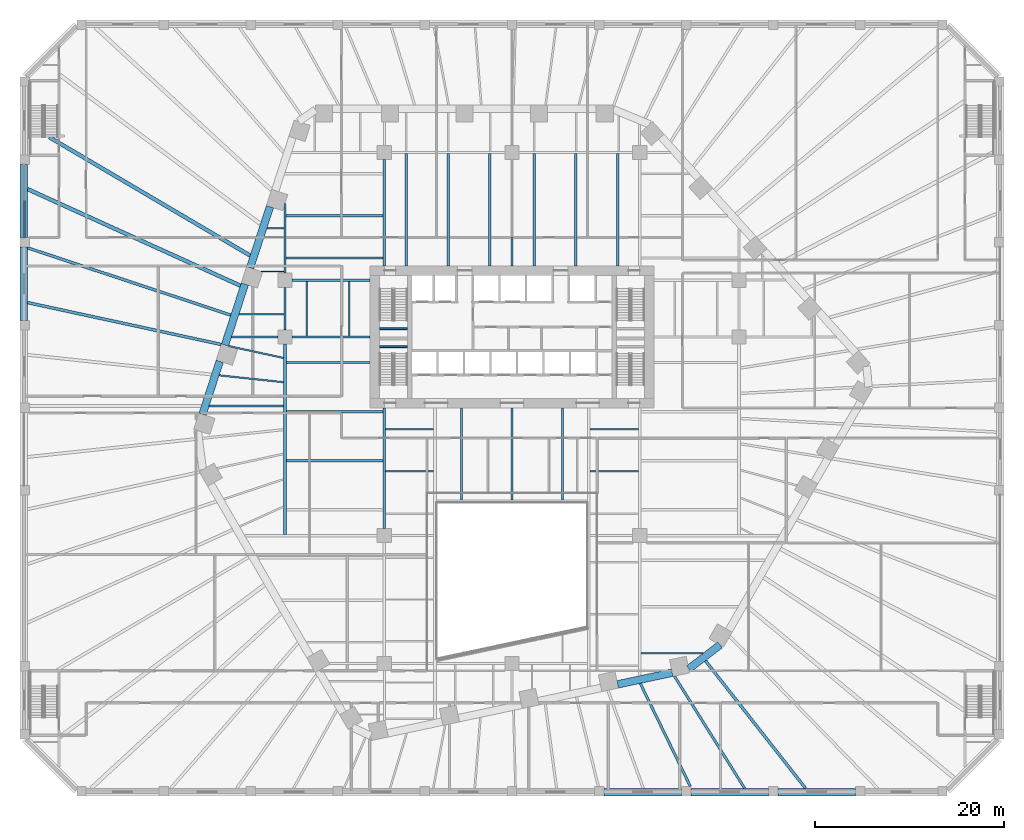
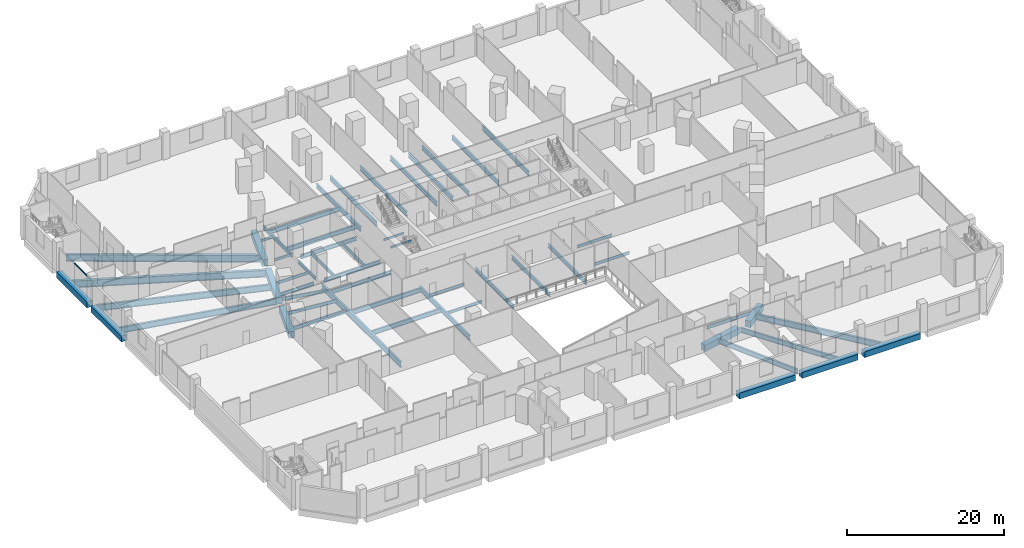
# One storey, part 6 of 29: 55 beams, 1 member, 1 element without a shape of its own.
"""IFC4 building model written with IfcOpenShell, lengths in metres."""

from ifc_helpers import new_model, si_unit, direction, frame, origin, origin_2d, place, context, subcontext, project, spatial, rectangle, i_section, extrude, material, layer, layer_set, material_profile, profile_set, type_object, element, aggregate, save


model = new_model("IFC4")

# Units and contexts
model_context = context("Model", 3, precision=1e-05, world=origin(), true_north=direction((0.0, 1.0)))
body_context = subcontext(model_context, "Body", "Model", "MODEL_VIEW")
ifc_project = project(units=[si_unit("LENGTHUNIT", "METRE"), si_unit("AREAUNIT", "SQUARE_METRE"), si_unit("VOLUMEUNIT", "CUBIC_METRE"), si_unit("PLANEANGLEUNIT", "RADIAN"), si_unit("MASSUNIT", "GRAM", prefix="KILO")], contexts=[model_context])

# Site, building, storey
site_placement = place(None, origin())
site = spatial("IfcSite", under=ifc_project, at=site_placement, CompositionType="ELEMENT")
building_placement = place(site_placement, origin())
building = spatial("IfcBuilding", under=site, at=building_placement, Name="Isthmus Gate Tower", CompositionType="ELEMENT")
storey_placement = place(building_placement, frame((0.0, 0.0, 27.0)))
storey = spatial("IfcBuildingStorey", under=building, at=storey_placement, Name="L04", CompositionType="ELEMENT", Elevation=27.0)

# Curtain wall, member
ifc_material_1 = material(Name="Aluminium, pale champagne anodised", Category="aluminium")
ifc_layer = layer(ifc_material_1, 0.14990234375)
ifc_layer_set = layer_set([ifc_layer], Name="CW-3 STOREFRONT CURTAIN WALL 150 DEEP")
curtain_wall_type = type_object("IfcCurtainWallType", Name="CW-3 STOREFRONT CURTAIN WALL 150 DEEP", PredefinedType="NOTDEFINED", material=ifc_layer_set)
curtain_wall_placement = place(storey_placement, origin())
curtain_wall = element("IfcCurtainWall", 1, at=curtain_wall_placement, inside=storey, type_object=curtain_wall_type, Name="CW-3 W L04", PredefinedType="NOTDEFINED")
ifc_material_2 = material(Name="Aluminium, pale champagne anodised", Category="aluminium")
ifc_material_profile_1 = material_profile(ifc_material_2, rectangle(XDim=0.14990234375, YDim=0.1201171875, at=origin_2d()), Name="150x120")
ifc_profile_set_1 = profile_set([ifc_material_profile_1], Name="Aluminium, pale champagne anodised")
member_type = type_object("IfcMemberType", Name="CW-3 TRANSOM 150 X 120", PredefinedType="USERDEFINED", material=ifc_profile_set_1)
member_placement = place(storey_placement, frame((-51.574951171875, 21.875, 3.239990234375), z_axis=(0.0, -1.0, 0.0), x_axis=(1.0, 0.0, 0.0)))
member = element("IfcMember", 2, at=member_placement, type_object=member_type, Name="CW-3 transom", ObjectType="TRANSOM", PredefinedType="USERDEFINED", context=body_context, shape_type="SweptSolid", body=[
    extrude(rectangle(XDim=0.14990234375, YDim=0.1201171875, at=origin_2d()), origin(), (0.0, 0.0, 1.0), 3.875),
])
aggregate(curtain_wall, [member])

# Beams
ifc_material_3 = material(Name="Concrete f'c 70 MPa", Category="concrete")
ifc_material_profile_2 = material_profile(ifc_material_3, rectangle(XDim=0.800048828125, YDim=0.89990234375, at=origin_2d()), Name="RC 800X900")
ifc_profile_set_2 = profile_set([ifc_material_profile_2], Name="Concrete f'c 70 MPa")
beam_type_1 = type_object("IfcBeamType", Name="RC EDGE BEAM 800 X 900", PredefinedType="BEAM", material=ifc_profile_set_2)
for number, where, z_axis, x_axis, name in (
    (3, (-51.60009765625, 9.25, -0.75), (0.0, 1.0, 0.0), (-1.0, 0.0, 0.0), "str-edgebeam-L04-05"),
    (4, (-51.60009765625, 18.0, -0.75), (0.0, 1.0, 0.0), (-1.0, 0.0, 0.0), "str-edgebeam-L04-06"),
):
    element("IfcBeam", number, at=place(storey_placement, frame(where, z_axis=z_axis, x_axis=x_axis)), inside=storey, type_object=beam_type_1, Name=name, PredefinedType="BEAM", context=body_context, shape_type="SweptSolid", body=[
        extrude(rectangle(XDim=0.800048828125, YDim=0.89990234375, at=origin_2d()), origin(), (0.0, 0.0, 1.0), 7.75),
    ])
beam_1_placement = place(storey_placement, frame((36.300048828125, -40.60009765625, -0.75), z_axis=(-1.0, 0.0, 0.0), x_axis=(0.0, -1.0, 0.0)))
element("IfcBeam", 5, at=beam_1_placement, inside=storey, type_object=beam_type_1, Name="str-edgebeam-L04-29", PredefinedType="BEAM", context=body_context, shape_type="SweptSolid", body=[
    extrude(rectangle(XDim=0.800048828125, YDim=0.89990234375, at=origin_2d()), origin(), (0.0, 0.0, 1.0), 8.199951171875),
])
beam_2_placement = place(storey_placement, frame((27.10009765625, -40.60009765625, -0.75), z_axis=(-1.0, 0.0, 0.0), x_axis=(0.0, -1.0, 0.0)))
element("IfcBeam", 6, at=beam_2_placement, inside=storey, type_object=beam_type_1, Name="str-edgebeam-L04-30", PredefinedType="BEAM", context=body_context, shape_type="SweptSolid", body=[
    extrude(rectangle(XDim=0.800048828125, YDim=0.89990234375, at=origin_2d()), origin(), (0.0, 0.0, 1.0), 8.2001953125),
])
beam_3_placement = place(storey_placement, frame((17.89990234375, -40.60009765625, -0.75), z_axis=(-1.0, 0.0, 0.0), x_axis=(0.0, -1.0, 0.0)))
element("IfcBeam", 7, at=beam_3_placement, inside=storey, type_object=beam_type_1, Name="str-edgebeam-L04-31", PredefinedType="BEAM", context=body_context, shape_type="SweptSolid", body=[
    extrude(rectangle(XDim=0.800048828125, YDim=0.89990234375, at=origin_2d()), origin(), (0.0, 0.0, 1.0), 8.199951171875),
])
ifc_material_4 = material(Name="Concrete f'c 70 MPa", Category="concrete")
ifc_material_profile_3 = material_profile(ifc_material_4, rectangle(XDim=0.800048828125, YDim=1.0, at=origin_2d()), Name="RC 800X1000")
ifc_profile_set_3 = profile_set([ifc_material_profile_3], Name="Concrete f'c 70 MPa")
beam_type_2 = type_object("IfcBeamType", Name="RC TUBE RING BEAM 800 X 1000", PredefinedType="BEAM", material=ifc_profile_set_3)
beam_4_placement = place(storey_placement, frame((21.98681640625, -25.051513671875, -0.800048828125), z_axis=(-0.794205941875, -0.607648682949, 0.0), x_axis=(0.607648682949, -0.794205941875, 0.0)))
element("IfcBeam", 8, at=beam_4_placement, inside=storey, type_object=beam_type_2, Name="str-ringbeam-L04-09", PredefinedType="BEAM", context=body_context, shape_type="SweptSolid", body=[
    extrude(rectangle(XDim=0.800048828125, YDim=1.0, at=origin_2d()), origin(), (0.0, 0.0, 1.0), 4.15234375),
])
for number, where, z_axis, x_axis, name in (
    (9, (16.937255859375, -27.990966796875, -0.800048828125), (-0.97815168619, -0.207892469327, 0.0), (0.207892469327, -0.97815168619, 0.0), "str-ringbeam-L04-10"),
    (10, (-32.70947265625, -0.672607421875, -0.800048828125), (0.309005457803, 0.951060264677, 0.0), (-0.951060264677, 0.309005457803, 0.0), "str-ringbeam-L04-18"),
):
    element("IfcBeam", number, at=place(storey_placement, frame(where, z_axis=z_axis, x_axis=x_axis)), inside=storey, type_object=beam_type_2, Name=name, PredefinedType="BEAM", context=body_context, shape_type="SweptSolid", body=[
        extrude(rectangle(XDim=0.800048828125, YDim=1.0, at=origin_2d()), origin(), (0.0, 0.0, 1.0), 5.889404296875),
    ])
for number, where, z_axis, x_axis, name in (
    (11, (-30.333251953125, 6.640380859375, -0.800048828125), (0.30900150794, 0.951061548004, 0.0), (-0.951061548004, 0.30900150794, 0.0), "str-ringbeam-L04-19"),
    (12, (-27.67919921875, 14.809326171875, -0.800048828125), (0.309034033576, 0.951050979754, 0.0), (-0.951050979754, 0.309034033576, 0.0), "str-ringbeam-L04-20"),
):
    element("IfcBeam", number, at=place(storey_placement, frame(where, z_axis=z_axis, x_axis=x_axis)), inside=storey, type_object=beam_type_2, Name=name, PredefinedType="BEAM", context=body_context, shape_type="SweptSolid", body=[
        extrude(rectangle(XDim=0.800048828125, YDim=1.0, at=origin_2d()), origin(), (0.0, 0.0, 1.0), 6.789306640625),
    ])
ifc_material_5 = material(Name="Concrete f'c 40 MPa", Category="concrete")
ifc_material_profile_4 = material_profile(ifc_material_5, rectangle(XDim=0.199951171875, YDim=0.300048828125, at=origin_2d()), Name="STAIR LANDING BEAM RC 200 X 300")
ifc_profile_set_4 = profile_set([ifc_material_profile_4], Name="Concrete f'c 40 MPa")
beam_type_3 = type_object("IfcBeamType", Name="STAIR LANDING BEAM RC 200 X 300", PredefinedType="BEAM", material=ifc_profile_set_4)
for number, where, z_axis, x_axis, name in (
    (13, (-14.0, 8.3701171875, 1.89990234375), (1.0, 0.0, 0.0), (0.0, 1.0, 0.0), "L04 ST1 landing beam 1"),
    (14, (-14.0, 6.47998046875, 1.89990234375), (1.0, 0.0, 0.0), (0.0, 1.0, 0.0), "L04 ST7 landing beam 1"),
):
    element("IfcBeam", number, at=place(storey_placement, frame(where, z_axis=z_axis, x_axis=x_axis)), inside=storey, type_object=beam_type_3, Name=name, PredefinedType="BEAM", context=body_context, shape_type="SweptSolid", body=[
        extrude(rectangle(XDim=0.199951171875, YDim=0.300048828125, at=origin_2d()), origin(), (0.0, 0.0, 1.0), 2.949951171875),
    ])
ifc_material_6 = material(Name="Structural steel ASTM A992 Gr 50", Category="steel")
ifc_material_profile_5 = material_profile(ifc_material_6, i_section(OverallWidth=0.1396484375, OverallDepth=0.4033203125, WebThickness=0.00634765625, FlangeThickness=0.010986328125, at=origin_2d()), Name="W16X31")
ifc_profile_set_5 = profile_set([ifc_material_profile_5], Name="Structural steel ASTM A992 Gr 50")
beam_type_4 = type_object("IfcBeamType", Name="STEEL FLOOR BEAM W16X31", PredefinedType="JOIST", material=ifc_profile_set_5)
beam_5_placement = place(storey_placement, frame((-26.503662109375, 14.427490234375, -0.501708984375), z_axis=(1.0, 0.0, 0.0), x_axis=(0.0, 1.0, 0.0)))
element("IfcBeam", 15, at=beam_5_placement, inside=storey, type_object=beam_type_4, Name="str-beam-L04-05-01", PredefinedType="JOIST", context=body_context, shape_type="SweptSolid", body=[
    extrude(i_section(OverallWidth=0.1396484375, OverallDepth=0.4033203125, WebThickness=0.00634765625, FlangeThickness=0.010986328125, at=origin_2d()), origin(), (0.0, 0.0, 1.0), 2.389404296875),
])
beam_6_placement = place(storey_placement, frame((-25.90478515625, 18.975830078125, -0.501708984375), z_axis=(1.0, 0.0, 0.0), x_axis=(0.0, 1.0, 0.0)))
element("IfcBeam", 16, at=beam_6_placement, inside=storey, type_object=beam_type_4, Name="str-beam-L04-05-02", PredefinedType="JOIST", context=body_context, shape_type="SweptSolid", body=[
    extrude(i_section(OverallWidth=0.1396484375, OverallDepth=0.4033203125, WebThickness=0.00634765625, FlangeThickness=0.010986328125, at=origin_2d()), origin(), (0.0, 0.0, 1.0), 1.79052734375),
])
ifc_material_7 = material(Name="Structural steel ASTM A992 Gr 50", Category="steel")
ifc_material_profile_6 = material_profile(ifc_material_7, i_section(OverallWidth=0.15234375, OverallDepth=0.45068359375, WebThickness=0.0078125, FlangeThickness=0.010986328125, at=origin_2d()), Name="W18X35")
ifc_profile_set_6 = profile_set([ifc_material_profile_6], Name="Structural steel ASTM A992 Gr 50")
beam_type_5 = type_object("IfcBeamType", Name="STEEL FLOOR BEAM W18X35", PredefinedType="JOIST", material=ifc_profile_set_6)
beam_7_placement = place(storey_placement, frame((-28.860595703125, 9.87890625, -0.525390625), z_axis=(1.0, 0.0, 0.0), x_axis=(0.0, 1.0, 0.0)))
element("IfcBeam", 17, at=beam_7_placement, inside=storey, type_object=beam_type_5, Name="str-beam-L04-05-00", PredefinedType="JOIST", context=body_context, shape_type="SweptSolid", body=[
    extrude(i_section(OverallWidth=0.15234375, OverallDepth=0.45068359375, WebThickness=0.0078125, FlangeThickness=0.010986328125, at=origin_2d()), origin(), (0.0, 0.0, 1.0), 4.755859375),
])
for number, where, z_axis, x_axis, name in (
    (18, (-13.3681640625, -6.697509765625, -0.525390625), (1.0, 0.0, 0.0), (0.0, 1.0, 0.0), "str-beam-L04-13-01"),
    (19, (-13.3681640625, -2.232421875, -0.525390625), (1.0, 0.0, 0.0), (0.0, 1.0, 0.0), "str-beam-L04-13-02"),
):
    element("IfcBeam", number, at=place(storey_placement, frame(where, z_axis=z_axis, x_axis=x_axis)), inside=storey, type_object=beam_type_5, Name=name, PredefinedType="JOIST", context=body_context, shape_type="SweptSolid", body=[
        extrude(i_section(OverallWidth=0.15234375, OverallDepth=0.45068359375, WebThickness=0.0078125, FlangeThickness=0.010986328125, at=origin_2d()), origin(), (0.0, 0.0, 1.0), 5.076171875),
    ])
for number, where, z_axis, x_axis, name in (
    (20, (8.263427734375, -6.697509765625, -0.525390625), (1.0, 0.0, 0.0), (0.0, 1.0, 0.0), "str-beam-L04-26-01"),
    (21, (8.263427734375, -2.232421875, -0.525390625), (1.0, 0.0, 0.0), (0.0, 1.0, 0.0), "str-beam-L04-26-02"),
):
    element("IfcBeam", number, at=place(storey_placement, frame(where, z_axis=z_axis, x_axis=x_axis)), inside=storey, type_object=beam_type_5, Name=name, PredefinedType="JOIST", context=body_context, shape_type="SweptSolid", body=[
        extrude(i_section(OverallWidth=0.15234375, OverallDepth=0.45068359375, WebThickness=0.0078125, FlangeThickness=0.010986328125, at=origin_2d()), origin(), (0.0, 0.0, 1.0), 5.104736328125),
    ])
ifc_material_8 = material(Name="Structural steel ASTM A992 Gr 50", Category="steel")
ifc_material_profile_7 = material_profile(ifc_material_8, i_section(OverallWidth=0.1650390625, OverallDepth=0.52392578125, WebThickness=0.009521484375, FlangeThickness=0.010986328125, at=origin_2d()), Name="W21X44")
ifc_profile_set_7 = profile_set([ifc_material_profile_7], Name="Structural steel ASTM A992 Gr 50")
beam_type_6 = type_object("IfcBeamType", Name="STEEL FLOOR BEAM W21X44", PredefinedType="JOIST", material=ifc_profile_set_7)
for number, where, z_axis, x_axis, name in (
    (22, (-21.67138671875, 7.6142578125, -0.56201171875), (0.0, 1.0, 0.0), (-1.0, 0.0, 0.0), "str-beam-L04-06-00"),
    (23, (-17.223876953125, 7.6142578125, -0.56201171875), (0.0, 1.0, 0.0), (-1.0, 0.0, 0.0), "str-beam-L04-06-01"),
):
    element("IfcBeam", number, at=place(storey_placement, frame(where, z_axis=z_axis, x_axis=x_axis)), inside=storey, type_object=beam_type_6, Name=name, PredefinedType="JOIST", context=body_context, shape_type="SweptSolid", body=[
        extrude(i_section(OverallWidth=0.1650390625, OverallDepth=0.52392578125, WebThickness=0.009521484375, FlangeThickness=0.010986328125, at=origin_2d()), origin(), (0.0, 0.0, 1.0), 5.771484375),
    ])
beam_8_placement = place(storey_placement, frame((-24.15234375, 5.281982421875, -0.56201171875), z_axis=(-0.977404738784, 0.211376386104, 0.0), x_axis=(-0.211376386104, -0.977404738784, 0.0)))
element("IfcBeam", 24, at=beam_8_placement, inside=storey, type_object=beam_type_6, Name="str-beam-L04-19-29", PredefinedType="JOIST", context=body_context, shape_type="SweptSolid", body=[
    extrude(i_section(OverallWidth=0.1650390625, OverallDepth=0.52392578125, WebThickness=0.009521484375, FlangeThickness=0.010986328125, at=origin_2d()), origin(), (0.0, 0.0, 1.0), 5.9287109375),
])
beam_9_placement = place(storey_placement, frame((-24.15234375, 2.717041015625, -0.56201171875), z_axis=(-0.994334923862, 0.106292328929, 0.0), x_axis=(-0.106292328929, -0.994334923862, 0.0)))
element("IfcBeam", 25, at=beam_9_placement, inside=storey, type_object=beam_type_6, Name="str-beam-L04-19-31", PredefinedType="JOIST", context=body_context, shape_type="SweptSolid", body=[
    extrude(i_section(OverallWidth=0.1650390625, OverallDepth=0.52392578125, WebThickness=0.009521484375, FlangeThickness=0.010986328125, at=origin_2d()), origin(), (0.0, 0.0, 1.0), 6.837890625),
])
beam_10_placement = place(storey_placement, frame((13.63330078125, -25.924072265625, -0.56201171875), z_axis=(1.0, 0.0, 0.0), x_axis=(0.0, 1.0, 0.0)))
element("IfcBeam", 26, at=beam_10_placement, inside=storey, type_object=beam_type_6, Name="str-beam-L04-31-00", PredefinedType="JOIST", context=body_context, shape_type="SweptSolid", body=[
    extrude(i_section(OverallWidth=0.1650390625, OverallDepth=0.52392578125, WebThickness=0.009521484375, FlangeThickness=0.010986328125, at=origin_2d()), origin(), (0.0, 0.0, 1.0), 6.5546875),
])
ifc_material_9 = material(Name="Structural steel ASTM A992 Gr 50", Category="steel")
ifc_material_profile_8 = material_profile(ifc_material_9, i_section(OverallWidth=0.177734375, OverallDepth=0.60009765625, WebThickness=0.009521484375, FlangeThickness=0.0126953125, at=origin_2d()), Name="W24X55")
ifc_profile_set_8 = profile_set([ifc_material_profile_8], Name="Structural steel ASTM A992 Gr 50")
beam_type_7 = type_object("IfcBeamType", Name="STEEL FLOOR BEAM W24X55", PredefinedType="JOIST", material=ifc_profile_set_8)
beam_11_placement = place(storey_placement, frame((-24.15234375, 0.210205078125, -0.60009765625), z_axis=(-1.0, 0.0, 0.0), x_axis=(0.0, -1.0, 0.0)))
element("IfcBeam", 27, at=beam_11_placement, inside=storey, type_object=beam_type_7, Name="str-beam-L04-19-33", PredefinedType="JOIST", context=body_context, shape_type="SweptSolid", body=[
    extrude(i_section(OverallWidth=0.177734375, OverallDepth=0.60009765625, WebThickness=0.009521484375, FlangeThickness=0.0126953125, at=origin_2d()), origin(), (0.0, 0.0, 1.0), 7.849609375),
])
ifc_material_10 = material(Name="Structural steel ASTM A992 Gr 50", Category="steel")
ifc_material_profile_9 = material_profile(ifc_material_10, i_section(OverallWidth=0.228515625, OverallDepth=0.603271484375, WebThickness=0.010986328125, FlangeThickness=0.014404296875, at=origin_2d()), Name="W24X68")
ifc_profile_set_9 = profile_set([ifc_material_profile_9], Name="Structural steel ASTM A992 Gr 50")
beam_type_8 = type_object("IfcBeamType", Name="STEEL FLOOR BEAM W24X68", PredefinedType="JOIST", material=ifc_profile_set_9)
beam_12_placement = place(storey_placement, frame((-23.84765625, 4.791748046875, -0.6015625), z_axis=(1.0, 0.0, 0.0), x_axis=(0.0, 1.0, 0.0)))
element("IfcBeam", 28, at=beam_12_placement, inside=storey, type_object=beam_type_8, Name="str-beam-L04-08-03", PredefinedType="JOIST", context=body_context, shape_type="SweptSolid", body=[
    extrude(i_section(OverallWidth=0.228515625, OverallDepth=0.603271484375, WebThickness=0.010986328125, FlangeThickness=0.014404296875, at=origin_2d()), origin(), (0.0, 0.0, 1.0), 8.84765625),
])
for number, where, z_axis, x_axis, name in (
    (29, (-5.333251953125, -9.7080078125, -0.6015625), (0.0, 1.0, 0.0), (-1.0, 0.0, 0.0), "str-beam-L04-18-00"),
    (30, (0.0, -9.7080078125, -0.6015625), (0.0, 1.0, 0.0), (-1.0, 0.0, 0.0), "str-beam-L04-18-01"),
    (31, (5.333251953125, -9.7080078125, -0.6015625), (0.0, 1.0, 0.0), (-1.0, 0.0, 0.0), "str-beam-L04-18-02"),
):
    element("IfcBeam", number, at=place(storey_placement, frame(where, z_axis=z_axis, x_axis=x_axis)), inside=storey, type_object=beam_type_8, Name=name, PredefinedType="JOIST", context=body_context, shape_type="SweptSolid", body=[
        extrude(i_section(OverallWidth=0.228515625, OverallDepth=0.603271484375, WebThickness=0.010986328125, FlangeThickness=0.014404296875, at=origin_2d()), origin(), (0.0, 0.0, 1.0), 9.7080078125),
    ])
ifc_material_11 = material(Name="Structural steel ASTM A992 Gr 50", Category="steel")
ifc_material_profile_10 = material_profile(ifc_material_11, i_section(OverallWidth=0.25390625, OverallDepth=0.679443359375, WebThickness=0.010986328125, FlangeThickness=0.015869140625, at=origin_2d()), Name="W27X84")
ifc_profile_set_10 = profile_set([ifc_material_profile_10], Name="Structural steel ASTM A992 Gr 50")
beam_type_9 = type_object("IfcBeamType", Name="STEEL FLOOR BEAM W27X84", PredefinedType="JOIST", material=ifc_profile_set_10)
for number, where, z_axis, x_axis, name in (
    (32, (-23.84765625, -5.58447265625, -0.6396484375), (1.0, 0.0, 0.0), (0.0, 1.0, 0.0), "str-beam-L04-08-01"),
    (33, (-23.84765625, -0.396484375, -0.6396484375), (1.0, 0.0, 0.0), (0.0, 1.0, 0.0), "str-beam-L04-08-02"),
):
    element("IfcBeam", number, at=place(storey_placement, frame(where, z_axis=z_axis, x_axis=x_axis)), inside=storey, type_object=beam_type_9, Name=name, PredefinedType="JOIST", context=body_context, shape_type="SweptSolid", body=[
        extrude(i_section(OverallWidth=0.25390625, OverallDepth=0.679443359375, WebThickness=0.010986328125, FlangeThickness=0.015869140625, at=origin_2d()), origin(), (0.0, 0.0, 1.0), 10.2158203125),
    ])
for number, where, z_axis, x_axis, name in (
    (34, (-23.8857421875, 15.84521484375, -0.6396484375), (1.0, 0.0, 0.0), (0.0, 1.0, 0.0), "str-beam-L04-09-00"),
    (35, (-23.8857421875, 20.30712890625, -0.6396484375), (1.0, 0.0, 0.0), (0.0, 1.0, 0.0), "str-beam-L04-09-01"),
):
    element("IfcBeam", number, at=place(storey_placement, frame(where, z_axis=z_axis, x_axis=x_axis)), inside=storey, type_object=beam_type_9, Name=name, PredefinedType="JOIST", context=body_context, shape_type="SweptSolid", body=[
        extrude(i_section(OverallWidth=0.25390625, OverallDepth=0.679443359375, WebThickness=0.010986328125, FlangeThickness=0.015869140625, at=origin_2d()), origin(), (0.0, 0.0, 1.0), 10.2587890625),
    ])
for number, where, z_axis, x_axis, name in (
    (36, (-11.165283203125, 15.0, -0.6396484375), (0.0, 1.0, 0.0), (-1.0, 0.0, 0.0), "str-beam-L04-15-00"),
    (37, (-6.75, 15.0, -0.6396484375), (0.0, 1.0, 0.0), (-1.0, 0.0, 0.0), "str-beam-L04-15-01"),
    (38, (-2.334716796875, 15.0, -0.6396484375), (0.0, 1.0, 0.0), (-1.0, 0.0, 0.0), "str-beam-L04-15-02"),
    (39, (2.334716796875, 15.0, -0.6396484375), (0.0, 1.0, 0.0), (-1.0, 0.0, 0.0), "str-beam-L04-23-00"),
    (40, (6.75, 15.0, -0.6396484375), (0.0, 1.0, 0.0), (-1.0, 0.0, 0.0), "str-beam-L04-23-01"),
    (41, (11.165283203125, 15.0, -0.6396484375), (0.0, 1.0, 0.0), (-1.0, 0.0, 0.0), "str-beam-L04-23-02"),
):
    element("IfcBeam", number, at=place(storey_placement, frame(where, z_axis=z_axis, x_axis=x_axis)), inside=storey, type_object=beam_type_9, Name=name, PredefinedType="JOIST", context=body_context, shape_type="SweptSolid", body=[
        extrude(i_section(OverallWidth=0.25390625, OverallDepth=0.679443359375, WebThickness=0.010986328125, FlangeThickness=0.015869140625, at=origin_2d()), origin(), (0.0, 0.0, 1.0), 11.873046875),
    ])
ifc_material_12 = material(Name="Structural steel ASTM A992 Gr 50", Category="steel")
ifc_material_profile_11 = material_profile(ifc_material_12, i_section(OverallWidth=0.263427734375, OverallDepth=0.749267578125, WebThickness=0.0126953125, FlangeThickness=0.015869140625, at=origin_2d()), Name="W30X90")
ifc_profile_set_11 = profile_set([ifc_material_profile_11], Name="Structural steel ASTM A992 Gr 50")
beam_type_10 = type_object("IfcBeamType", Name="STEEL FLOOR BEAM W30X90", PredefinedType="JOIST", material=ifc_profile_set_11)
beam_13_placement = place(storey_placement, frame((13.5595703125, -29.117919921875, -0.674560546875), z_axis=(0.437299915839, -0.899315730768, 0.0), x_axis=(0.899315730768, 0.437299915839, 0.0)))
element("IfcBeam", 42, at=beam_13_placement, inside=storey, type_object=beam_type_10, Name="str-beam-L04-19-57", PredefinedType="JOIST", context=body_context, shape_type="SweptSolid", body=[
    extrude(i_section(OverallWidth=0.263427734375, OverallDepth=0.749267578125, WebThickness=0.0126953125, FlangeThickness=0.015869140625, at=origin_2d()), origin(), (0.0, 0.0, 1.0), 12.100341796875),
])
beam_14_placement = place(storey_placement, frame((17.16845703125, -28.350830078125, -0.674560546875), z_axis=(0.530429063145, -0.847729325299, 0.0), x_axis=(0.847729325299, 0.530429063145, 0.0)))
element("IfcBeam", 43, at=beam_14_placement, inside=storey, type_object=beam_type_10, Name="str-beam-L04-19-58", PredefinedType="JOIST", context=body_context, shape_type="SweptSolid", body=[
    extrude(i_section(OverallWidth=0.263427734375, OverallDepth=0.749267578125, WebThickness=0.0126953125, FlangeThickness=0.015869140625, at=origin_2d()), origin(), (0.0, 0.0, 1.0), 13.9775390625),
])
ifc_material_13 = material(Name="Structural steel ASTM A992 Gr 50", Category="steel")
ifc_material_profile_12 = material_profile(ifc_material_13, i_section(OverallWidth=0.3046875, OverallDepth=0.901611328125, WebThickness=0.015869140625, FlangeThickness=0.0205078125, at=origin_2d()), Name="W36X135")
ifc_profile_set_12 = profile_set([ifc_material_profile_12], Name="Structural steel ASTM A992 Gr 50")
beam_type_11 = type_object("IfcBeamType", Name="STEEL FLOOR BEAM W36X135", PredefinedType="JOIST", material=ifc_profile_set_12)
beam_15_placement = place(storey_placement, frame((20.449951171875, -26.73095703125, -0.750732421875), z_axis=(0.617521161638, -0.786554266996, 0.0), x_axis=(0.786554266996, 0.617521161638, 0.0)))
element("IfcBeam", 44, at=beam_15_placement, inside=storey, type_object=beam_type_11, Name="str-beam-L04-19-59", PredefinedType="JOIST", context=body_context, shape_type="SweptSolid", body=[
    extrude(i_section(OverallWidth=0.3046875, OverallDepth=0.901611328125, WebThickness=0.015869140625, FlangeThickness=0.0205078125, at=origin_2d()), origin(), (0.0, 0.0, 1.0), 17.1240234375),
])
ifc_material_14 = material(Name="Structural steel ASTM A992 Gr 50", Category="steel")
ifc_material_profile_13 = material_profile(ifc_material_14, i_section(OverallWidth=0.3046875, OverallDepth=0.914306640625, WebThickness=0.015869140625, FlangeThickness=0.025390625, at=origin_2d()), Name="W36X160")
ifc_profile_set_13 = profile_set([ifc_material_profile_13], Name="Structural steel ASTM A992 Gr 50")
beam_type_12 = type_object("IfcBeamType", Name="STEEL FLOOR BEAM W36X160", PredefinedType="JOIST", material=ifc_profile_set_13)
beam_16_placement = place(storey_placement, frame((-30.73291015625, 6.705078125, -0.757080078125), z_axis=(-0.977404661554, 0.211376743215, 0.0), x_axis=(-0.211376743215, -0.977404661554, 0.0)))
element("IfcBeam", 45, at=beam_16_placement, inside=storey, type_object=beam_type_12, Name="str-beam-L04-19-30", PredefinedType="JOIST", context=body_context, shape_type="SweptSolid", body=[
    extrude(i_section(OverallWidth=0.3046875, OverallDepth=0.914306640625, WebThickness=0.015869140625, FlangeThickness=0.025390625, at=origin_2d()), origin(), (0.0, 0.0, 1.0), 20.940185546875),
])
ifc_material_15 = material(Name="Structural steel ASTM A992 Gr 50", Category="steel")
ifc_material_profile_14 = material_profile(ifc_material_15, i_section(OverallWidth=0.29833984375, OverallDepth=0.981201171875, WebThickness=0.015869140625, FlangeThickness=0.025390625, at=origin_2d()), Name="W40X167")
ifc_profile_set_14 = profile_set([ifc_material_profile_14], Name="Structural steel ASTM A992 Gr 50")
beam_type_13 = type_object("IfcBeamType", Name="STEEL FLOOR BEAM W40X167", PredefinedType="JOIST", material=ifc_profile_set_14)
beam_17_placement = place(storey_placement, frame((-29.7236328125, 9.81103515625, -0.79052734375), z_axis=(-0.949397494311, 0.3140770571, 0.0), x_axis=(-0.3140770571, -0.949397494311, 0.0)))
element("IfcBeam", 46, at=beam_17_placement, inside=storey, type_object=beam_type_13, Name="str-beam-L04-19-28", PredefinedType="JOIST", context=body_context, shape_type="SweptSolid", body=[
    extrude(i_section(OverallWidth=0.29833984375, OverallDepth=0.981201171875, WebThickness=0.015869140625, FlangeThickness=0.025390625, at=origin_2d()), origin(), (0.0, 0.0, 1.0), 22.62109375),
])
ifc_material_16 = material(Name="Structural steel ASTM A992 Gr 50", Category="steel")
ifc_material_profile_15 = material_profile(ifc_material_16, i_section(OverallWidth=0.39990234375, OverallDepth=1.089111328125, WebThickness=0.017578125, FlangeThickness=0.03173828125, at=origin_2d()), Name="W44X230")
ifc_profile_set_15 = profile_set([ifc_material_profile_15], Name="Structural steel ASTM A992 Gr 50")
beam_type_14 = type_object("IfcBeamType", Name="STEEL FLOOR BEAM W44X230", PredefinedType="JOIST", material=ifc_profile_set_15)
beam_18_placement = place(storey_placement, frame((-27.678466796875, 16.10595703125, -0.844482421875), z_axis=(-0.861553706285, 0.507666436932, 0.0), x_axis=(-0.507666436932, -0.861553706285, 0.0)))
element("IfcBeam", 47, at=beam_18_placement, inside=storey, type_object=beam_type_14, Name="str-beam-L04-19-26", PredefinedType="JOIST", context=body_context, shape_type="SweptSolid", body=[
    extrude(i_section(OverallWidth=0.39990234375, OverallDepth=1.089111328125, WebThickness=0.017578125, FlangeThickness=0.03173828125, at=origin_2d()), origin(), (0.0, 0.0, 1.0), 24.64111328125),
])
beam_19_placement = place(storey_placement, frame((-28.71337890625, 12.9208984375, -0.844482421875), z_axis=(-0.910634113772, 0.41321363825, 0.0), x_axis=(-0.41321363825, -0.910634113772, 0.0)))
element("IfcBeam", 48, at=beam_19_placement, inside=storey, type_object=beam_type_14, Name="str-beam-L04-19-27", PredefinedType="JOIST", context=body_context, shape_type="SweptSolid", body=[
    extrude(i_section(OverallWidth=0.39990234375, OverallDepth=1.089111328125, WebThickness=0.017578125, FlangeThickness=0.03173828125, at=origin_2d()), origin(), (0.0, 0.0, 1.0), 24.693359375),
])
ifc_material_17 = material(Name="Structural steel ASTM A992 Gr 50", Category="steel")
ifc_material_profile_16 = material_profile(ifc_material_17, i_section(OverallWidth=0.20947265625, OverallDepth=0.533447265625, WebThickness=0.009521484375, FlangeThickness=0.015869140625, at=origin_2d()), Name="W21X62")
ifc_profile_set_16 = profile_set([ifc_material_profile_16], Name="Structural steel ASTM A992 Gr 50")
beam_type_15 = type_object("IfcBeamType", Name="STEEL GIRDER W21X62", PredefinedType="BEAM", material=ifc_profile_set_16)
beam_20_placement = place(storey_placement, frame((-29.633544921875, 7.5, -0.566650390625), z_axis=(1.0, 0.0, 0.0), x_axis=(0.0, 1.0, 0.0)))
element("IfcBeam", 49, at=beam_20_placement, inside=storey, type_object=beam_type_15, Name="str-girder-L04-09", PredefinedType="BEAM", context=body_context, shape_type="SweptSolid", body=[
    extrude(i_section(OverallWidth=0.20947265625, OverallDepth=0.533447265625, WebThickness=0.009521484375, FlangeThickness=0.015869140625, at=origin_2d()), origin(), (0.0, 0.0, 1.0), 4.883544921875),
])
beam_21_placement = place(storey_placement, frame((-24.0, 8.25, -0.566650390625), z_axis=(0.0, 1.0, 0.0), x_axis=(-1.0, 0.0, 0.0)))
element("IfcBeam", 50, at=beam_21_placement, inside=storey, type_object=beam_type_15, Name="str-girder-L04-21", PredefinedType="BEAM", context=body_context, shape_type="SweptSolid", body=[
    extrude(i_section(OverallWidth=0.20947265625, OverallDepth=0.533447265625, WebThickness=0.009521484375, FlangeThickness=0.015869140625, at=origin_2d()), origin(), (0.0, 0.0, 1.0), 4.5),
])
ifc_material_18 = material(Name="Structural steel ASTM A992 Gr 50", Category="steel")
ifc_material_profile_17 = material_profile(ifc_material_18, i_section(OverallWidth=0.228515625, OverallDepth=0.603271484375, WebThickness=0.010986328125, FlangeThickness=0.014404296875, at=origin_2d()), Name="W24X68")
ifc_profile_set_17 = profile_set([ifc_material_profile_17], Name="Structural steel ASTM A992 Gr 50")
beam_type_16 = type_object("IfcBeamType", Name="STEEL GIRDER W24X68", PredefinedType="BEAM", material=ifc_profile_set_17)
beam_22_placement = place(storey_placement, frame((-24.0, 14.25, -0.6015625), z_axis=(0.0, 1.0, 0.0), x_axis=(-1.0, 0.0, 0.0)))
element("IfcBeam", 51, at=beam_22_placement, inside=storey, type_object=beam_type_16, Name="str-girder-L04-22", PredefinedType="BEAM", context=body_context, shape_type="SweptSolid", body=[
    extrude(i_section(OverallWidth=0.228515625, OverallDepth=0.603271484375, WebThickness=0.010986328125, FlangeThickness=0.014404296875, at=origin_2d()), origin(), (0.0, 0.0, 1.0), 7.35205078125),
])
ifc_material_19 = material(Name="Structural steel ASTM A992 Gr 50", Category="steel")
ifc_material_profile_18 = material_profile(ifc_material_19, i_section(OverallWidth=0.228515625, OverallDepth=0.6064453125, WebThickness=0.010986328125, FlangeThickness=0.017578125, at=origin_2d()), Name="W24X76")
ifc_profile_set_18 = profile_set([ifc_material_profile_18], Name="Structural steel ASTM A992 Gr 50")
beam_type_17 = type_object("IfcBeamType", Name="STEEL GIRDER W24X76", PredefinedType="BEAM", material=ifc_profile_set_18)
for number, where, z_axis, x_axis, name in (
    (52, (-23.25, 7.5, -0.603271484375), (1.0, 0.0, 0.0), (0.0, 1.0, 0.0), "str-girder-L04-10"),
    (53, (-23.25, 13.5, -0.603271484375), (1.0, 0.0, 0.0), (0.0, 1.0, 0.0), "str-girder-L04-13"),
):
    element("IfcBeam", number, at=place(storey_placement, frame(where, z_axis=z_axis, x_axis=x_axis)), inside=storey, type_object=beam_type_17, Name=name, PredefinedType="BEAM", context=body_context, shape_type="SweptSolid", body=[
        extrude(i_section(OverallWidth=0.228515625, OverallDepth=0.6064453125, WebThickness=0.010986328125, FlangeThickness=0.017578125, at=origin_2d()), origin(), (0.0, 0.0, 1.0), 8.25),
    ])
ifc_material_20 = material(Name="Structural steel ASTM A992 Gr 50", Category="steel")
ifc_material_profile_19 = material_profile(ifc_material_20, i_section(OverallWidth=0.25390625, OverallDepth=0.679443359375, WebThickness=0.010986328125, FlangeThickness=0.015869140625, at=origin_2d()), Name="W27X84")
ifc_profile_set_19 = profile_set([ifc_material_profile_19], Name="Structural steel ASTM A992 Gr 50")
beam_type_18 = type_object("IfcBeamType", Name="STEEL GIRDER W27X84", PredefinedType="BEAM", material=ifc_profile_set_19)
for number, where, z_axis, x_axis, name in (
    (54, (-13.5, 15.0, -0.6396484375), (0.0, 1.0, 0.0), (-1.0, 0.0, 0.0), "str-girder-L04-26"),
    (55, (0.0, 15.0, -0.6396484375), (0.0, 1.0, 0.0), (-1.0, 0.0, 0.0), "str-girder-L04-29"),
):
    element("IfcBeam", number, at=place(storey_placement, frame(where, z_axis=z_axis, x_axis=x_axis)), inside=storey, type_object=beam_type_18, Name=name, PredefinedType="BEAM", context=body_context, shape_type="SweptSolid", body=[
        extrude(i_section(OverallWidth=0.25390625, OverallDepth=0.679443359375, WebThickness=0.010986328125, FlangeThickness=0.015869140625, at=origin_2d()), origin(), (0.0, 0.0, 1.0), 11.25),
    ])
ifc_material_21 = material(Name="Structural steel ASTM A992 Gr 50", Category="steel")
ifc_material_profile_20 = material_profile(ifc_material_21, i_section(OverallWidth=0.263427734375, OverallDepth=0.749267578125, WebThickness=0.0126953125, FlangeThickness=0.015869140625, at=origin_2d()), Name="W30X90")
ifc_profile_set_20 = profile_set([ifc_material_profile_20], Name="Structural steel ASTM A992 Gr 50")
beam_type_19 = type_object("IfcBeamType", Name="STEEL GIRDER W30X90", PredefinedType="BEAM", material=ifc_profile_set_20)
beam_23_placement = place(storey_placement, frame((-13.5, -12.75, -0.674560546875), z_axis=(0.0, 1.0, 0.0), x_axis=(-1.0, 0.0, 0.0)))
element("IfcBeam", 56, at=beam_23_placement, inside=storey, type_object=beam_type_19, Name="str-girder-L04-25", PredefinedType="BEAM", context=body_context, shape_type="SweptSolid", body=[
    extrude(i_section(OverallWidth=0.263427734375, OverallDepth=0.749267578125, WebThickness=0.0126953125, FlangeThickness=0.015869140625, at=origin_2d()), origin(), (0.0, 0.0, 1.0), 12.75),
])
ifc_material_22 = material(Name="Structural steel ASTM A992 Gr 50", Category="steel")
ifc_material_profile_21 = material_profile(ifc_material_22, i_section(OverallWidth=0.3046875, OverallDepth=0.914306640625, WebThickness=0.015869140625, FlangeThickness=0.025390625, at=origin_2d()), Name="W36X160")
ifc_profile_set_21 = profile_set([ifc_material_profile_21], Name="Structural steel ASTM A992 Gr 50")
beam_type_20 = type_object("IfcBeamType", Name="STEEL GIRDER W36X160", PredefinedType="BEAM", material=ifc_profile_set_21)
beam_24_placement = place(storey_placement, frame((-24.0, -13.36669921875, -0.757080078125), z_axis=(0.0, 1.0, 0.0), x_axis=(-1.0, 0.0, 0.0)))
element("IfcBeam", 57, at=beam_24_placement, inside=storey, type_object=beam_type_20, Name="str-girder-L04-20", PredefinedType="BEAM", context=body_context, shape_type="SweptSolid", body=[
    extrude(i_section(OverallWidth=0.3046875, OverallDepth=0.914306640625, WebThickness=0.015869140625, FlangeThickness=0.025390625, at=origin_2d()), origin(), (0.0, 0.0, 1.0), 20.11669921875),
])

save(model, "model.ifc")
